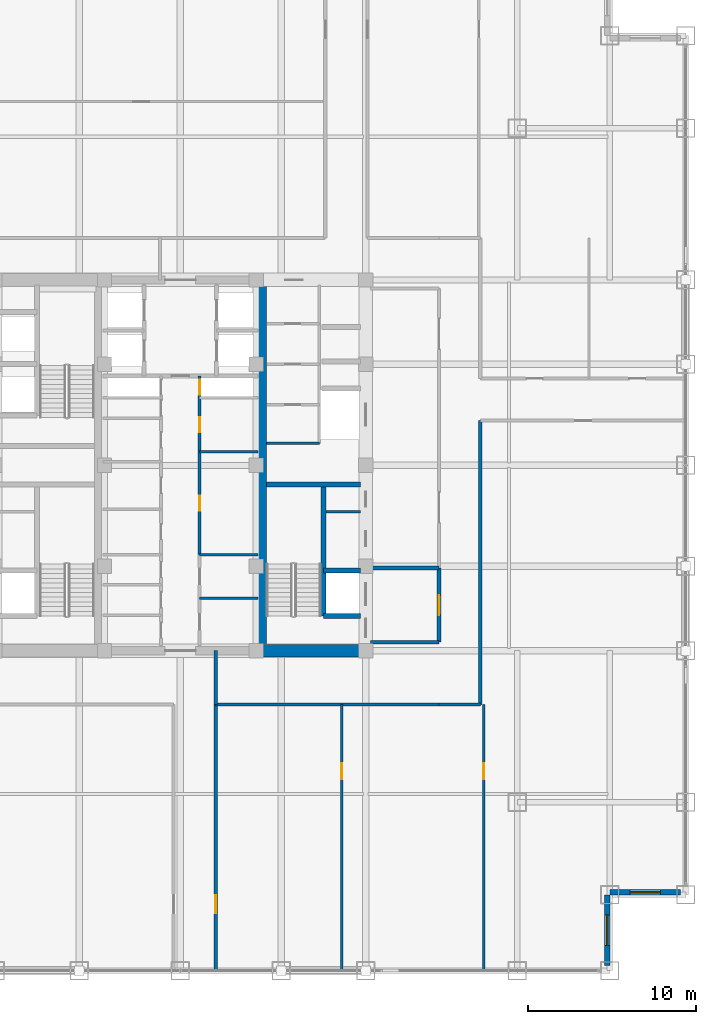
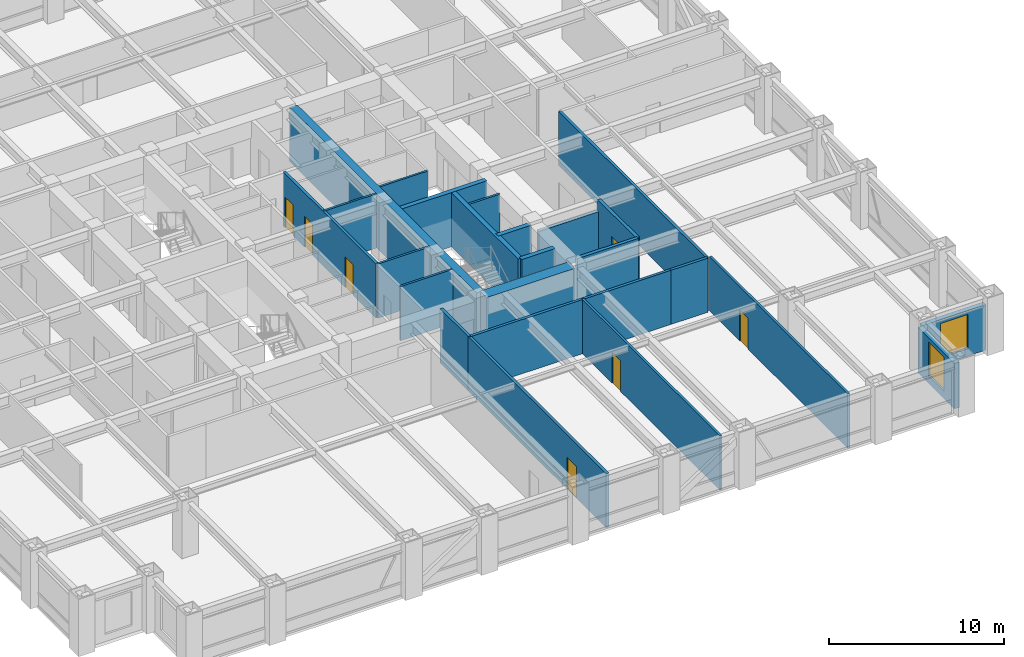
# One storey, part 21 of 25: 24 walls, 7 doors, 2 windows, 9 openings.
"""IFC4 building model written with IfcOpenShell, lengths in metres."""

from ifc_helpers import new_model, si_unit, direction, frame, frame_2d, origin, place, context, subcontext, project, spatial, rectangle, extrude, source, transform, mapped, material, layer, layer_set, type_object, element, fill, save


model = new_model("IFC4")

# Units and contexts
model_context = context("Model", 3, precision=1e-05, world=origin(), true_north=direction((0.0, 1.0)))
body_context = subcontext(model_context, "Body", "Model", "MODEL_VIEW")
ifc_project = project(units=[si_unit("LENGTHUNIT", "METRE"), si_unit("AREAUNIT", "SQUARE_METRE"), si_unit("VOLUMEUNIT", "CUBIC_METRE"), si_unit("PLANEANGLEUNIT", "RADIAN"), si_unit("MASSUNIT", "GRAM", prefix="KILO")], contexts=[model_context])

# Site, building, storey
site_placement = place(None, origin())
site = spatial("IfcSite", under=ifc_project, at=site_placement, CompositionType="ELEMENT")
building_placement = place(site_placement, origin())
building = spatial("IfcBuilding", under=site, at=building_placement, Name="Khorayat Bourse Tower", CompositionType="ELEMENT")
storey_placement = place(building_placement, frame((0.0, 0.0, 199.10009765625)))
storey = spatial("IfcBuildingStorey", under=building, at=storey_placement, Name="L46", CompositionType="ELEMENT", Elevation=199.10009765625)

# Walls
ifc_material_1 = material(Name="Concrete C52/65", Category="concrete")
ifc_layer_1 = layer(ifc_material_1, 0.5)
ifc_layer_set_1 = layer_set([ifc_layer_1], Name="Concrete C52/65")
wall_type_1 = type_object("IfcWallType", Name="WAL-CORE-500", PredefinedType="SHEAR", material=ifc_layer_set_1)
shared_shape_1 = source(origin(), body_context, "Body", "SweptSolid", [
    extrude(rectangle(XDim=21.39990234375, YDim=0.5, at=frame_2d((10.699951171875, 0.0))), origin(), (0.0, 0.0, 1.0), 3.77978515625),
])
wall_1_placement = place(storey_placement, frame((4.85009765625, -10.699951171875, 0.0), z_axis=(0.0, 0.0, 1.0), x_axis=(0.0, 1.0, 0.0)))
element("IfcWall", 1, at=wall_1_placement, inside=storey, type_object=wall_type_1, Name="L46 Core Shear Wall PIER-E", PredefinedType="SHEAR", context=body_context, shape_type="MappedRepresentation", body=[
    mapped(shared_shape_1, transform((0.0, 0.0, 0.0), scale=1.0)),
])
ifc_material_2 = material(Name="Concrete C72/90", Category="concrete")
ifc_layer_2 = layer(ifc_material_2, 0.75)
ifc_layer_set_2 = layer_set([ifc_layer_2], Name="Concrete C72/90")
wall_type_2 = type_object("IfcWallType", Name="WAL-CORE-750", PredefinedType="SHEAR", material=ifc_layer_set_2)
shared_shape_2 = source(origin(), body_context, "Body", "SweptSolid", [
    extrude(rectangle(XDim=5.849853515625, YDim=0.75, at=frame_2d((2.9248046875, 0.0))), origin(), (0.0, 0.0, 1.0), 3.77978515625),
])
wall_2_placement = place(storey_placement, frame((4.85009765625, -11.0, 0.0), z_axis=(0.0, 0.0, 1.0), x_axis=(1.0, 0.0, 0.0)))
element("IfcWall", 2, at=wall_2_placement, inside=storey, type_object=wall_type_2, Name="L46 Core Shear Wall PIER-ES", PredefinedType="SHEAR", context=body_context, shape_type="MappedRepresentation", body=[
    mapped(shared_shape_2, transform((0.0, 0.0, 0.0), scale=1.0)),
])
ifc_material_3 = material(Name="Concrete C50/60", Category="concrete")
ifc_layer_3 = layer(ifc_material_3, 0.300048828125)
ifc_layer_set_3 = layer_set([ifc_layer_3], Name="Concrete C50/60")
wall_type_3 = type_object("IfcWallType", Name="WAL-SHAFT-300", PredefinedType="SHEAR", material=ifc_layer_set_3)
shared_shape_3 = source(origin(), body_context, "Body", "SweptSolid", [
    extrude(rectangle(XDim=5.599853515625, YDim=0.300048828125, at=frame_2d((2.7998046875, 0.0))), origin(), (0.0, 0.0, 1.0), 3.77978515625),
])
wall_3_placement = place(storey_placement, frame((5.10009765625, -1.14990234375, 0.0), z_axis=(0.0, 0.0, 1.0), x_axis=(1.0, 0.0, 0.0)))
element("IfcWall", 3, at=wall_3_placement, inside=storey, type_object=wall_type_3, Name="L46 Core Shear Wall ST3-DIV", PredefinedType="SHEAR", context=body_context, shape_type="MappedRepresentation", body=[
    mapped(shared_shape_3, transform((0.0, 0.0, 0.0), scale=1.0)),
])

# Wall, opening, window
ifc_material_4 = material(Name="Precast concrete C45/55", Category="concrete")
ifc_layer_4 = layer(ifc_material_4, 0.320068359375)
ifc_layer_set_4 = layer_set([ifc_layer_4], Name="Precast concrete C45/55")
wall_type_4 = type_object("IfcWallType", Name="WAL-EXT-STONE-320", PredefinedType="STANDARD", material=ifc_layer_set_4)
shared_shape_4 = source(origin(), body_context, "Body", "SweptSolid", [
    extrude(rectangle(XDim=4.179931640625, YDim=0.320068359375, at=frame_2d((2.08984375, 0.0))), origin(), (0.0, 0.0, 1.0), 3.163818359375),
])
wall_4_placement = place(storey_placement, frame((25.340087890625, -29.679931640625, 0.0), z_axis=(0.0, 0.0, 1.0), x_axis=(0.0, 1.0, 0.0)))
wall_4 = element("IfcWall", 4, at=wall_4_placement, inside=storey, type_object=wall_type_4, Name="L46 Re-Entrant Notch Limestone Wall SE-V", PredefinedType="STANDARD", context=body_context, shape_type="MappedRepresentation", body=[
    mapped(shared_shape_4, transform((0.0, 0.0, 0.0), scale=1.0)),
])
shared_shape_5 = source(origin(), body_context, "Body", "SweptSolid", [
    extrude(rectangle(XDim=1.800048828125, YDim=2.39990234375, at=frame_2d((0.89990234375, 1.199951171875))), frame((0.0, 0.169921875, 0.0), z_axis=(0.0, -1.0, 0.0), x_axis=(1.0, 0.0, 0.0)), (0.0, 0.0, 1.0), 0.340087890625),
])
opening_1_placement = place(wall_4_placement, frame((1.18994140625, 0.0, 0.5)))
opening_1 = element("IfcOpeningElement", 5, at=opening_1_placement, cuts=wall_4, Name="Opening WN-04", PredefinedType="OPENING", context=body_context, shape_type="MappedRepresentation", body=[
    mapped(shared_shape_5, transform((0.0, 0.0, 0.0), scale=1.0)),
])
ifc_material_5 = material(Name="Low-E acoustic laminated double glazing", Category="glass")
window_type = type_object("IfcWindowType", Name="WIN-NOTCH-1800x2400", PartitioningType="SINGLE_PANEL", PredefinedType="WINDOW", material=ifc_material_5)
shared_shape_6 = source(origin(), body_context, "Body", "SweptSolid", [
    extrude(rectangle(XDim=1.800048828125, YDim=2.39990234375, at=frame_2d((0.89990234375, 1.199951171875))), frame((0.0, 0.030029296875, 0.0), z_axis=(0.0, -1.0, 0.0), x_axis=(1.0, 0.0, 0.0)), (0.0, 0.0, 1.0), 0.06005859375),
])
window_1_placement = place(opening_1_placement, origin())
window_1 = element("IfcWindow", 6, at=window_1_placement, inside=storey, type_object=window_type, Name="L46 Facade Window 1", OverallHeight=2.39990234375, OverallWidth=1.800048828125, PartitioningType="SINGLE_PANEL", PredefinedType="WINDOW", context=body_context, shape_type="MappedRepresentation", body=[
    mapped(shared_shape_6, transform((0.0, 0.0, 0.0), scale=1.0)),
])
fill(opening_1, window_1)

wall_5_placement = place(storey_placement, frame((25.5, -25.340087890625, 0.0), z_axis=(0.0, 0.0, 1.0), x_axis=(1.0, 0.0, 0.0)))
wall_5 = element("IfcWall", 7, at=wall_5_placement, inside=storey, type_object=wall_type_4, Name="L46 Re-Entrant Notch Limestone Wall SE-H", PredefinedType="STANDARD", context=body_context, shape_type="MappedRepresentation", body=[
    mapped(shared_shape_4, transform((0.0, 0.0, 0.0), scale=1.0)),
])
opening_2_placement = place(wall_5_placement, frame((1.18994140625, 0.0, 0.5)))
opening_2 = element("IfcOpeningElement", 8, at=opening_2_placement, cuts=wall_5, Name="Opening WN-04", PredefinedType="OPENING", context=body_context, shape_type="MappedRepresentation", body=[
    mapped(shared_shape_5, transform((0.0, 0.0, 0.0), scale=1.0)),
])
window_2_placement = place(opening_2_placement, origin())
window_2 = element("IfcWindow", 9, at=window_2_placement, inside=storey, type_object=window_type, Name="L46 Facade Window 1", OverallHeight=2.39990234375, OverallWidth=1.800048828125, PartitioningType="SINGLE_PANEL", PredefinedType="WINDOW", context=body_context, shape_type="MappedRepresentation", body=[
    mapped(shared_shape_6, transform((0.0, 0.0, 0.0), scale=1.0)),
])
fill(opening_2, window_2)

# Walls
shared_shape_7 = source(origin(), body_context, "Body", "SweptSolid", [
    extrude(rectangle(XDim=7.800048828125, YDim=0.300048828125, at=frame_2d((3.89990234375, 0.0))), origin(), (0.0, 0.0, 1.0), 3.77978515625),
])
wall_6_placement = place(storey_placement, frame((8.5, -8.949951171875, 0.0), z_axis=(0.0, 0.0, 1.0), x_axis=(0.0, 1.0, 0.0)))
element("IfcWall", 10, at=wall_6_placement, inside=storey, type_object=wall_type_3, Name="L46 Partition WAL-L46-EPIER-SP", PredefinedType="SHEAR", context=body_context, shape_type="MappedRepresentation", body=[
    mapped(shared_shape_7, transform((0.0, 0.0, 0.0), scale=1.0)),
])
shared_shape_8 = source(origin(), body_context, "Body", "SweptSolid", [
    extrude(rectangle(XDim=2.199951171875, YDim=0.300048828125, at=frame_2d((1.10009765625, 0.0))), origin(), (0.0, 0.0, 1.0), 3.77978515625),
])
for number, where, z_axis, x_axis, name in (
    (11, (8.5, -8.949951171875, 0.0), (0.0, 0.0, 1.0), (1.0, 0.0, 0.0), "L46 Partition WAL-L46-EPIER-FF2S"),
    (12, (8.5, -6.25, 0.0), (0.0, 0.0, 1.0), (1.0, 0.0, 0.0), "L46 Partition WAL-L46-EPIER-FF2N"),
):
    element("IfcWall", number, at=place(storey_placement, frame(where, z_axis=z_axis, x_axis=x_axis)), inside=storey, type_object=wall_type_3, Name=name, PredefinedType="SHEAR", context=body_context, shape_type="MappedRepresentation", body=[
        mapped(shared_shape_8, transform((0.0, 0.0, 0.0), scale=1.0)),
    ])
ifc_material_6 = material(Name="Gypsum plasterboard twin-frame partition")
ifc_layer_5 = layer(ifc_material_6, 0.14990234375)
ifc_layer_set_5 = layer_set([ifc_layer_5], Name="Gypsum plasterboard twin-frame partition")
wall_type_5 = type_object("IfcWallType", Name="WAL-PART-SUITE-150", PredefinedType="PARTITIONING", material=ifc_layer_set_5)
shared_shape_9 = source(origin(), body_context, "Body", "SweptSolid", [
    extrude(rectangle(XDim=2.050048828125, YDim=0.14990234375, at=frame_2d((1.02490234375, 0.0))), origin(), (0.0, 0.0, 1.0), 3.77978515625),
])
wall_7_placement = place(storey_placement, frame((8.64990234375, -2.75, 0.0), z_axis=(0.0, 0.0, 1.0), x_axis=(1.0, 0.0, 0.0)))
element("IfcWall", 13, at=wall_7_placement, inside=storey, type_object=wall_type_5, Name="L46 Partition WAL-L46-ESRV-D1", PredefinedType="PARTITIONING", context=body_context, shape_type="MappedRepresentation", body=[
    mapped(shared_shape_9, transform((0.0, 0.0, 0.0), scale=1.0)),
])
ifc_material_7 = material(Name="Moisture-resistant masonry partition", Category="masonry")
ifc_layer_6 = layer(ifc_material_7, 0.139892578125)
ifc_layer_set_6 = layer_set([ifc_layer_6], Name="Moisture-resistant masonry partition")
wall_type_6 = type_object("IfcWallType", Name="WAL-PART-WET-140", PredefinedType="PARTITIONING", material=ifc_layer_set_6)
shared_shape_10 = source(origin(), body_context, "Body", "SweptSolid", [
    extrude(rectangle(XDim=3.14990234375, YDim=0.139892578125, at=frame_2d((1.574951171875, 0.0))), origin(), (0.0, 0.0, 1.0), 3.77978515625),
])
wall_8_placement = place(storey_placement, frame((5.10009765625, 1.300048828125, 0.0), z_axis=(0.0, 0.0, 1.0), x_axis=(1.0, 0.0, 0.0)))
element("IfcWall", 14, at=wall_8_placement, inside=storey, type_object=wall_type_6, Name="L46 Partition WAL-L46-ECORE-S", PredefinedType="PARTITIONING", context=body_context, shape_type="MappedRepresentation", body=[
    mapped(shared_shape_10, transform((0.0, 0.0, 0.0), scale=1.0)),
])
ifc_material_8 = material(Name="Aerated concrete blockwork", Category="masonry")
ifc_layer_7 = layer(ifc_material_8, 0.219970703125)
ifc_layer_set_7 = layer_set([ifc_layer_7], Name="Aerated concrete blockwork")
wall_type_7 = type_object("IfcWallType", Name="WAL-PART-FF-220", PredefinedType="PARTITIONING", material=ifc_layer_set_7)
shared_shape_11 = source(origin(), body_context, "Body", "SweptSolid", [
    extrude(rectangle(XDim=4.050048828125, YDim=0.219970703125, at=frame_2d((2.02490234375, 0.0))), origin(), (0.0, 0.0, 1.0), 3.77978515625),
])
wall_9_placement = place(storey_placement, frame((11.300048828125, -10.5, 0.0), z_axis=(0.0, 0.0, 1.0), x_axis=(1.0, 0.0, 0.0)))
element("IfcWall", 15, at=wall_9_placement, inside=storey, type_object=wall_type_7, Name="L46 Partition WAL-L46-FFLE-S", PredefinedType="PARTITIONING", context=body_context, shape_type="MappedRepresentation", body=[
    mapped(shared_shape_11, transform((0.0, 0.0, 0.0), scale=1.0)),
])
shared_shape_12 = source(origin(), body_context, "Body", "SweptSolid", [
    extrude(rectangle(XDim=4.050048828125, YDim=0.219970703125, at=frame_2d((2.02490234375, 0.0))), origin(), (0.0, 0.0, 1.0), 3.0068359375),
])
wall_10_placement = place(storey_placement, frame((11.300048828125, -6.10009765625, 0.0), z_axis=(0.0, 0.0, 1.0), x_axis=(1.0, 0.0, 0.0)))
element("IfcWall", 16, at=wall_10_placement, inside=storey, type_object=wall_type_7, Name="L46 Partition WAL-L46-FFLE-N", PredefinedType="PARTITIONING", context=body_context, shape_type="MappedRepresentation", body=[
    mapped(shared_shape_12, transform((0.0, 0.0, 0.0), scale=1.0)),
])

# Wall, opening, door
shared_shape_13 = source(origin(), body_context, "Body", "SweptSolid", [
    extrude(rectangle(XDim=4.39990234375, YDim=0.219970703125, at=frame_2d((2.199951171875, 0.0))), origin(), (0.0, 0.0, 1.0), 3.77978515625),
])
wall_11_placement = place(storey_placement, frame((15.35009765625, -10.5, 0.0), z_axis=(0.0, 0.0, 1.0), x_axis=(0.0, 1.0, 0.0)))
wall_11 = element("IfcWall", 17, at=wall_11_placement, inside=storey, type_object=wall_type_7, Name="L46 Partition WAL-L46-FFLE-E", PredefinedType="PARTITIONING", context=body_context, shape_type="MappedRepresentation", body=[
    mapped(shared_shape_13, transform((0.0, 0.0, 0.0), scale=1.0)),
])
shared_shape_14 = source(origin(), body_context, "Body", "SweptSolid", [
    extrude(rectangle(XDim=1.199951171875, YDim=2.199951171875, at=frame_2d((0.60009765625, 1.10009765625))), frame((0.0, 0.119873046875, 0.0), z_axis=(0.0, -1.0, 0.0), x_axis=(1.0, 0.0, 0.0)), (0.0, 0.0, 1.0), 0.239990234375),
])
opening_3_placement = place(wall_11_placement, frame((1.60009765625, 0.0, 0.0)))
opening_3 = element("IfcOpeningElement", 18, at=opening_3_placement, cuts=wall_11, Name="Opening DI-02", PredefinedType="OPENING", context=body_context, shape_type="MappedRepresentation", body=[
    mapped(shared_shape_14, transform((0.0, 0.0, 0.0), scale=1.0)),
])
ifc_material_9 = material(Name="Fire-rated steel double-seal leaf", Category="steel")
door_type_1 = type_object("IfcDoorType", Name="DR-INT-FFLOBBY-1200", OperationType="NOTDEFINED", PredefinedType="DOOR", material=ifc_material_9)
shared_shape_15 = source(origin(), body_context, "Body", "SweptSolid", [
    extrude(rectangle(XDim=1.199951171875, YDim=2.199951171875, at=frame_2d((0.60009765625, 1.10009765625))), frame((0.0, 0.02490234375, 0.0), z_axis=(0.0, -1.0, 0.0), x_axis=(1.0, 0.0, 0.0)), (0.0, 0.0, 1.0), 0.050048828125),
])
door_1_placement = place(opening_3_placement, origin())
door_1 = element("IfcDoor", 19, at=door_1_placement, inside=storey, type_object=door_type_1, Name="L46 East Firefighting Lobby Door", OperationType="SINGLE_SWING_RIGHT", OverallHeight=2.199951171875, OverallWidth=1.199951171875, PredefinedType="DOOR", context=body_context, shape_type="MappedRepresentation", body=[
    mapped(shared_shape_15, transform((0.0, 0.0, 0.0), scale=1.0)),
])
fill(opening_3, door_1)

# Walls
shared_shape_16 = source(origin(), body_context, "Body", "SweptSolid", [
    extrude(rectangle(XDim=3.4501953125, YDim=0.14990234375, at=frame_2d((1.72509765625, 0.0))), origin(), (0.0, 0.0, 1.0), 3.77978515625),
])
wall_12_placement = place(storey_placement, frame((1.14990234375, -5.300048828125, 0.0), z_axis=(0.0, 0.0, 1.0), x_axis=(1.0, 0.0, 0.0)))
element("IfcWall", 20, at=wall_12_placement, inside=storey, type_object=wall_type_5, Name="L46 Partition WAL-L46-FB1-NE", PredefinedType="PARTITIONING", context=body_context, shape_type="MappedRepresentation", body=[
    mapped(shared_shape_16, transform((0.0, 0.0, 0.0), scale=1.0)),
])
shared_shape_17 = source(origin(), body_context, "Body", "SweptSolid", [
    extrude(rectangle(XDim=3.4501953125, YDim=0.139892578125, at=frame_2d((1.72509765625, 0.0))), origin(), (0.0, 0.0, 1.0), 3.77978515625),
])
for number, where, z_axis, x_axis, name in (
    (21, (1.14990234375, -7.89990234375, 0.0), (0.0, 0.0, 1.0), (1.0, 0.0, 0.0), "L46 Partition WAL-L46-FB1E-D1"),
    (22, (1.14990234375, 0.800048828125, 0.0), (0.0, 0.0, 1.0), (1.0, 0.0, 0.0), "L46 Partition WAL-L46-CME-D1"),
):
    element("IfcWall", number, at=place(storey_placement, frame(where, z_axis=z_axis, x_axis=x_axis)), inside=storey, type_object=wall_type_6, Name=name, PredefinedType="PARTITIONING", context=body_context, shape_type="MappedRepresentation", body=[
        mapped(shared_shape_17, transform((0.0, 0.0, 0.0), scale=1.0)),
    ])

# Wall, openings, doors
ifc_material_10 = material(Name="Gypsum plasterboard acoustic stud wall")
ifc_layer_8 = layer(ifc_material_10, 0.179931640625)
ifc_layer_set_8 = layer_set([ifc_layer_8], Name="Gypsum plasterboard acoustic stud wall")
wall_type_8 = type_object("IfcWallType", Name="WAL-PART-CORR-180", PredefinedType="PARTITIONING", material=ifc_layer_set_8)
shared_shape_18 = source(origin(), body_context, "Body", "SweptSolid", [
    extrude(rectangle(XDim=10.60009765625, YDim=0.179931640625, at=frame_2d((5.300048828125, 0.0))), origin(), (0.0, 0.0, 1.0), 3.77978515625),
])
wall_13_placement = place(storey_placement, frame((1.14990234375, -5.300048828125, 0.0), z_axis=(0.0, 0.0, 1.0), x_axis=(0.0, 1.0, 0.0)))
wall_13 = element("IfcWall", 23, at=wall_13_placement, inside=storey, type_object=wall_type_8, Name="L46 Partition WAL-L46-CME-L", PredefinedType="PARTITIONING", context=body_context, shape_type="MappedRepresentation", body=[
    mapped(shared_shape_18, transform((0.0, 0.0, 0.0), scale=1.0)),
])
shared_shape_19 = source(origin(), body_context, "Body", "SweptSolid", [
    extrude(rectangle(XDim=0.89990234375, YDim=2.14990234375, at=frame_2d((0.449951171875, 1.074951171875))), frame((0.0, 0.099853515625, 0.0), z_axis=(0.0, -1.0, 0.0), x_axis=(1.0, 0.0, 0.0)), (0.0, 0.0, 1.0), 0.199951171875),
])
opening_4_placement = place(wall_13_placement, frame((2.60009765625, 0.0, 0.0)))
opening_4 = element("IfcOpeningElement", 24, at=opening_4_placement, cuts=wall_13, Name="Opening DI-06", PredefinedType="OPENING", context=body_context, shape_type="MappedRepresentation", body=[
    mapped(shared_shape_19, transform((0.0, 0.0, 0.0), scale=1.0)),
])
opening_5_placement = place(wall_13_placement, frame((7.25, 0.0, 0.0)))
opening_5 = element("IfcOpeningElement", 25, at=opening_5_placement, cuts=wall_13, Name="Opening DI-06", PredefinedType="OPENING", context=body_context, shape_type="MappedRepresentation", body=[
    mapped(shared_shape_19, transform((0.0, 0.0, 0.0), scale=1.0)),
])
opening_6_placement = place(wall_13_placement, frame((9.47509765625, 0.0, 0.0)))
opening_6 = element("IfcOpeningElement", 26, at=opening_6_placement, cuts=wall_13, Name="Opening DI-06", PredefinedType="OPENING", context=body_context, shape_type="MappedRepresentation", body=[
    mapped(shared_shape_19, transform((0.0, 0.0, 0.0), scale=1.0)),
])
ifc_material_11 = material(Name="Moisture-resistant laminate washroom door")
door_type_2 = type_object("IfcDoorType", Name="DR-INT-WC-900", OperationType="NOTDEFINED", PredefinedType="DOOR", material=ifc_material_11)
shared_shape_20 = source(origin(), body_context, "Body", "SweptSolid", [
    extrude(rectangle(XDim=0.89990234375, YDim=2.14990234375, at=frame_2d((0.449951171875, 1.074951171875))), frame((0.0, 0.02490234375, 0.0), z_axis=(0.0, -1.0, 0.0), x_axis=(1.0, 0.0, 0.0)), (0.0, 0.0, 1.0), 0.050048828125),
])
door_2_placement = place(opening_4_placement, origin())
door_2 = element("IfcDoor", 27, at=door_2_placement, inside=storey, type_object=door_type_2, Name="L46 Female Core Washroom Door", OperationType="SINGLE_SWING_RIGHT", OverallHeight=2.14990234375, OverallWidth=0.89990234375, PredefinedType="DOOR", context=body_context, shape_type="MappedRepresentation", body=[
    mapped(shared_shape_20, transform((0.0, 0.0, 0.0), scale=1.0)),
])
fill(opening_4, door_2)
door_3_placement = place(opening_5_placement, origin())
door_3 = element("IfcDoor", 28, at=door_3_placement, inside=storey, type_object=door_type_2, Name="L46 Smoke Extract Fan Plant Room Door", OperationType="SINGLE_SWING_LEFT", OverallHeight=2.14990234375, OverallWidth=0.89990234375, PredefinedType="DOOR", context=body_context, shape_type="MappedRepresentation", body=[
    mapped(shared_shape_20, transform((0.0, 0.0, 0.0), scale=1.0)),
])
fill(opening_5, door_3)
door_4_placement = place(opening_6_placement, origin())
door_4 = element("IfcDoor", 29, at=door_4_placement, inside=storey, type_object=door_type_2, Name="L46 East Core Riser Door", OperationType="SINGLE_SWING_RIGHT", OverallHeight=2.14990234375, OverallWidth=0.89990234375, PredefinedType="DOOR", context=body_context, shape_type="MappedRepresentation", body=[
    mapped(shared_shape_20, transform((0.0, 0.0, 0.0), scale=1.0)),
])
fill(opening_6, door_4)

# Walls
shared_shape_21 = source(origin(), body_context, "Body", "SweptSolid", [
    extrude(rectangle(XDim=2.449951171875, YDim=0.179931640625, at=frame_2d((1.22509765625, 0.0))), origin(), (0.0, 0.0, 1.0), 3.77978515625),
])
wall_14_placement = place(storey_placement, frame((15.35009765625, -14.199951171875, 0.0), z_axis=(0.0, 0.0, 1.0), x_axis=(1.0, 0.0, 0.0)))
element("IfcWall", 30, at=wall_14_placement, inside=storey, type_object=wall_type_8, Name="L46 Partition WAL-L46-C2-ES", PredefinedType="PARTITIONING", context=body_context, shape_type="MappedRepresentation", body=[
    mapped(shared_shape_21, transform((0.0, 0.0, 0.0), scale=1.0)),
])
shared_shape_22 = source(origin(), body_context, "Body", "SweptSolid", [
    extrude(rectangle(XDim=3.199951171875, YDim=0.179931640625, at=frame_2d((1.60009765625, 0.0))), origin(), (0.0, 0.0, 1.0), 3.77978515625),
])
wall_15_placement = place(storey_placement, frame((2.10009765625, -14.199951171875, 0.0), z_axis=(0.0, 0.0, 1.0), x_axis=(0.0, 1.0, 0.0)))
element("IfcWall", 31, at=wall_15_placement, inside=storey, type_object=wall_type_8, Name="L46 Partition WAL-L46-C2-SCE", PredefinedType="PARTITIONING", context=body_context, shape_type="MappedRepresentation", body=[
    mapped(shared_shape_22, transform((0.0, 0.0, 0.0), scale=1.0)),
])

# Wall, opening, door
shared_shape_23 = source(origin(), body_context, "Body", "SweptSolid", [
    extrude(rectangle(XDim=15.800048828125, YDim=0.14990234375, at=frame_2d((7.89990234375, 0.0))), origin(), (0.0, 0.0, 1.0), 3.77978515625),
])
wall_16_placement = place(storey_placement, frame((9.587890625, -30.0, 0.0), z_axis=(0.0, 0.0, 1.0), x_axis=(0.0, 1.0, 0.0)))
wall_16 = element("IfcWall", 32, at=wall_16_placement, inside=storey, type_object=wall_type_5, Name="L46 Partition WAL-L46-QSEDV-1", PredefinedType="PARTITIONING", context=body_context, shape_type="MappedRepresentation", body=[
    mapped(shared_shape_23, transform((0.0, 0.0, 0.0), scale=1.0)),
])
shared_shape_24 = source(origin(), body_context, "Body", "SweptSolid", [
    extrude(rectangle(XDim=0.949951171875, YDim=2.14990234375, at=frame_2d((0.47509765625, 1.074951171875))), frame((0.0, 0.0849609375, 0.0), z_axis=(0.0, -1.0, 0.0), x_axis=(1.0, 0.0, 0.0)), (0.0, 0.0, 1.0), 0.169921875),
])
opening_7_placement = place(wall_16_placement, frame((11.375, 0.0, 0.0)))
opening_7 = element("IfcOpeningElement", 33, at=opening_7_placement, cuts=wall_16, Name="Opening DI-05", PredefinedType="OPENING", context=body_context, shape_type="MappedRepresentation", body=[
    mapped(shared_shape_24, transform((0.0, 0.0, 0.0), scale=1.0)),
])
ifc_material_12 = material(Name="Acoustic oak veneer office door")
door_type_3 = type_object("IfcDoorType", Name="DR-INT-OFFICE-950", OperationType="NOTDEFINED", PredefinedType="DOOR", material=ifc_material_12)
shared_shape_25 = source(origin(), body_context, "Body", "SweptSolid", [
    extrude(rectangle(XDim=0.949951171875, YDim=2.14990234375, at=frame_2d((0.47509765625, 1.074951171875))), frame((0.0, 0.02490234375, 0.0), z_axis=(0.0, -1.0, 0.0), x_axis=(1.0, 0.0, 0.0)), (0.0, 0.0, 1.0), 0.050048828125),
])
door_5_placement = place(opening_7_placement, origin())
door_5 = element("IfcDoor", 34, at=door_5_placement, inside=storey, type_object=door_type_3, Name="L46 South-East Suite Link 1", OperationType="SINGLE_SWING_RIGHT", OverallHeight=2.14990234375, OverallWidth=0.949951171875, PredefinedType="DOOR", context=body_context, shape_type="MappedRepresentation", body=[
    mapped(shared_shape_25, transform((0.0, 0.0, 0.0), scale=1.0)),
])
fill(opening_7, door_5)

wall_17_placement = place(storey_placement, frame((18.011962890625, -30.0, 0.0), z_axis=(0.0, 0.0, 1.0), x_axis=(0.0, 1.0, 0.0)))
wall_17 = element("IfcWall", 35, at=wall_17_placement, inside=storey, type_object=wall_type_5, Name="L46 Partition WAL-L46-QSEDV-2", PredefinedType="PARTITIONING", context=body_context, shape_type="MappedRepresentation", body=[
    mapped(shared_shape_23, transform((0.0, 0.0, 0.0), scale=1.0)),
])
opening_8_placement = place(wall_17_placement, frame((11.375, 0.0, 0.0)))
opening_8 = element("IfcOpeningElement", 36, at=opening_8_placement, cuts=wall_17, Name="Opening DI-05", PredefinedType="OPENING", context=body_context, shape_type="MappedRepresentation", body=[
    mapped(shared_shape_24, transform((0.0, 0.0, 0.0), scale=1.0)),
])
door_6_placement = place(opening_8_placement, origin())
door_6 = element("IfcDoor", 37, at=door_6_placement, inside=storey, type_object=door_type_3, Name="L46 South-East Suite Link 2", OperationType="SINGLE_SWING_LEFT", OverallHeight=2.14990234375, OverallWidth=0.949951171875, PredefinedType="DOOR", context=body_context, shape_type="MappedRepresentation", body=[
    mapped(shared_shape_25, transform((0.0, 0.0, 0.0), scale=1.0)),
])
fill(opening_8, door_6)

shared_shape_26 = source(origin(), body_context, "Body", "SweptSolid", [
    extrude(rectangle(XDim=15.800048828125, YDim=0.179931640625, at=frame_2d((7.89990234375, 0.0))), origin(), (0.0, 0.0, 1.0), 3.77978515625),
])
wall_18_placement = place(storey_placement, frame((2.10009765625, -30.0, 0.0), z_axis=(0.0, 0.0, 1.0), x_axis=(0.0, 1.0, 0.0)))
wall_18 = element("IfcWall", 38, at=wall_18_placement, inside=storey, type_object=wall_type_8, Name="L46 Partition WAL-L46-QSE-SPK", PredefinedType="PARTITIONING", context=body_context, shape_type="MappedRepresentation", body=[
    mapped(shared_shape_26, transform((0.0, 0.0, 0.0), scale=1.0)),
])
shared_shape_27 = source(origin(), body_context, "Body", "SweptSolid", [
    extrude(rectangle(XDim=1.050048828125, YDim=2.199951171875, at=frame_2d((0.52490234375, 1.10009765625))), frame((0.0, 0.099853515625, 0.0), z_axis=(0.0, -1.0, 0.0), x_axis=(1.0, 0.0, 0.0)), (0.0, 0.0, 1.0), 0.199951171875),
])
opening_9_placement = place(wall_18_placement, frame((3.425048828125, 0.0, 0.0)))
opening_9 = element("IfcOpeningElement", 39, at=opening_9_placement, cuts=wall_18, Name="Opening DI-04", PredefinedType="OPENING", context=body_context, shape_type="MappedRepresentation", body=[
    mapped(shared_shape_27, transform((0.0, 0.0, 0.0), scale=1.0)),
])
ifc_material_13 = material(Name="Fire-rated oak veneer suite entrance door")
door_type_4 = type_object("IfcDoorType", Name="DR-INT-SUITE-1050", OperationType="NOTDEFINED", PredefinedType="DOOR", material=ifc_material_13)
shared_shape_28 = source(origin(), body_context, "Body", "SweptSolid", [
    extrude(rectangle(XDim=1.050048828125, YDim=2.199951171875, at=frame_2d((0.52490234375, 1.10009765625))), frame((0.0, 0.02490234375, 0.0), z_axis=(0.0, -1.0, 0.0), x_axis=(1.0, 0.0, 0.0)), (0.0, 0.0, 1.0), 0.050048828125),
])
door_7_placement = place(opening_9_placement, origin())
door_7 = element("IfcDoor", 40, at=door_7_placement, inside=storey, type_object=door_type_4, Name="L46 South-East Radial Spoke Entry", OperationType="SINGLE_SWING_LEFT", OverallHeight=2.199951171875, OverallWidth=1.050048828125, PredefinedType="DOOR", context=body_context, shape_type="MappedRepresentation", body=[
    mapped(shared_shape_28, transform((0.0, 0.0, 0.0), scale=1.0)),
])
fill(opening_9, door_7)

# Walls
shared_shape_29 = source(origin(), body_context, "Body", "SweptSolid", [
    extrude(rectangle(XDim=13.25, YDim=0.179931640625, at=frame_2d((6.625, 0.0))), origin(), (0.0, 0.0, 1.0), 3.77978515625),
])
wall_19_placement = place(storey_placement, frame((2.10009765625, -14.199951171875, 0.0), z_axis=(0.0, 0.0, 1.0), x_axis=(1.0, 0.0, 0.0)))
element("IfcWall", 41, at=wall_19_placement, inside=storey, type_object=wall_type_8, Name="L46 Partition WAL-L46-QSE-HC", PredefinedType="PARTITIONING", context=body_context, shape_type="MappedRepresentation", body=[
    mapped(shared_shape_29, transform((0.0, 0.0, 0.0), scale=1.0)),
])
shared_shape_30 = source(origin(), body_context, "Body", "SweptSolid", [
    extrude(rectangle(XDim=16.849853515625, YDim=0.179931640625, at=frame_2d((8.4248046875, 0.0))), origin(), (0.0, 0.0, 1.0), 3.77978515625),
])
wall_20_placement = place(storey_placement, frame((17.800048828125, -14.199951171875, 0.0), z_axis=(0.0, 0.0, 1.0), x_axis=(0.0, 1.0, 0.0)))
element("IfcWall", 42, at=wall_20_placement, inside=storey, type_object=wall_type_8, Name="L46 Partition WAL-L46-ES-IN", PredefinedType="PARTITIONING", context=body_context, shape_type="MappedRepresentation", body=[
    mapped(shared_shape_30, transform((0.0, 0.0, 0.0), scale=1.0)),
])

save(model, "model.ifc")
